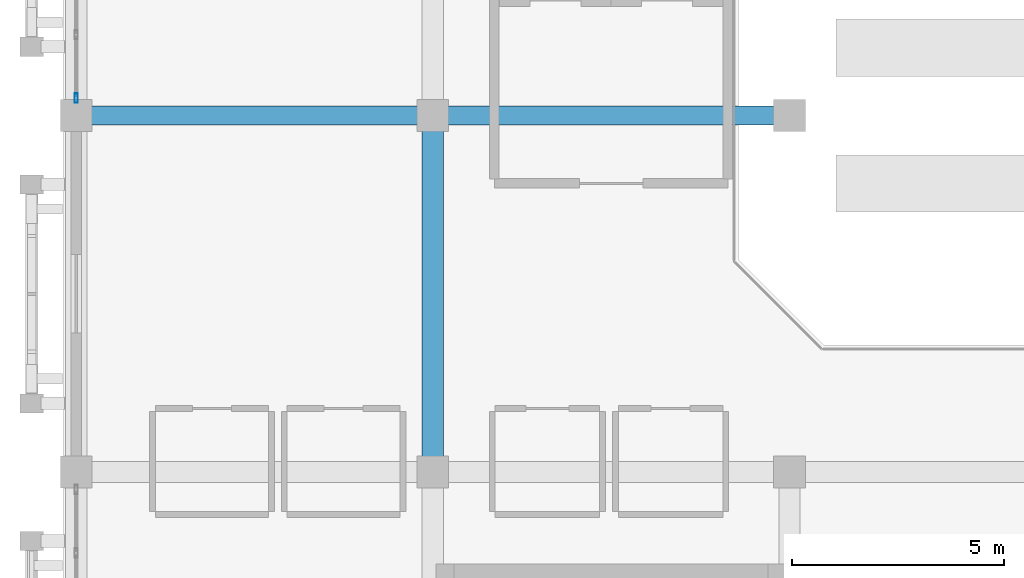
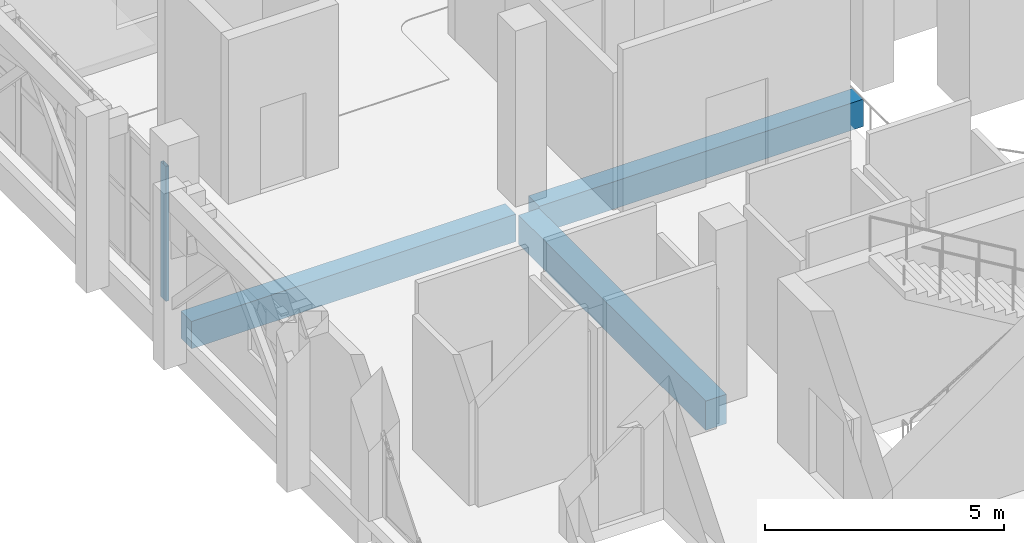
# One storey, part 8 of 30: 3 beams, 1 member, 1 element without a shape of its own.
"""IFC4 building model written with IfcOpenShell, lengths in metres."""

import ifcopenshell
import ifcopenshell.guid

model = None  # the IFC model being written
_history = None  # IfcOwnerHistory: only IFC2X3 demands one
_inside = {}  # id of a spatial element -> (the spatial element, [elements in it])
_under = {}  # id of a project, library or spatial element -> (it, [spatial elements below it])
_declared = {}  # id of a project -> (the project, [libraries it declares])
_typed = {}  # id of a type object -> (the type object, [elements of that type])
_made_of = {}  # id of a material, layer set ... -> (it, [elements and type objects made of it])


def new_model(schema):
    """Start an empty IFC model of exactly this schema.

    Asked for "IFC4X3", IfcOpenShell would pick the latest addendum, in which some entities
    have other attributes; the version numbers below select the first issue.
    IFC2X3 requires an IfcOwnerHistory on every rooted entity: one is made here for all.
    """
    global model, _history
    if schema == "IFC4X3":
        model = ifcopenshell.file(schema_version=(4, 3, 0, 0))
    else:
        model = ifcopenshell.file(schema=schema)
    _inside.clear()
    _under.clear()
    _declared.clear()
    _typed.clear()
    _made_of.clear()
    _history = None
    if model.schema == "IFC2X3":
        org = make("IfcOrganization", Name="unknown")
        user = make(
            "IfcPersonAndOrganization",
            ThePerson=make("IfcPerson", FamilyName="unknown"),
            TheOrganization=org,
        )
        app = make(
            "IfcApplication",
            ApplicationDeveloper=org,
            Version="unknown",
            ApplicationFullName="unknown",
            ApplicationIdentifier="unknown",
        )
        _history = make(
            "IfcOwnerHistory",
            OwningUser=user,
            OwningApplication=app,
            ChangeAction="ADDED",
            CreationDate=0,
        )
    return model


def make(cls, **values):
    """One entity of the class cls with the attributes given. An attribute that is None is left unset."""
    return model.create_entity(
        cls, **{name: value for name, value in values.items() if value is not None}
    )


def rooted(cls, **values):
    """An entity with a GlobalId (a new one), such as an element, a storey or a relation."""
    return make(cls, GlobalId=ifcopenshell.guid.new(), OwnerHistory=_history, **values)


def si_unit(unit_type, name, prefix=None):
    """IfcSIUnit, for example si_unit("LENGTHUNIT", "METRE", prefix="MILLI")."""
    return make("IfcSIUnit", UnitType=unit_type, Prefix=prefix, Name=name)


def assignment(units):
    """IfcUnitAssignment: the units of a project."""
    return None if units is None else make("IfcUnitAssignment", Units=units)


def point(xyz):
    """IfcCartesianPoint."""
    return None if xyz is None else make("IfcCartesianPoint", Coordinates=xyz)


def direction(xyz):
    """IfcDirection."""
    return None if xyz is None else make("IfcDirection", DirectionRatios=xyz)


def frame(location, z_axis=None, x_axis=None):
    """IfcAxis2Placement3D, a coordinate frame: its origin and axes. An axis left out is left unset."""
    return make(
        "IfcAxis2Placement3D",
        Location=point(location),
        Axis=direction(z_axis),
        RefDirection=direction(x_axis),
    )


def frame_2d(location, x_axis=None):
    """IfcAxis2Placement2D, a coordinate frame in the plane: its origin and x axis."""
    return make(
        "IfcAxis2Placement2D", Location=point(location), RefDirection=direction(x_axis)
    )


def origin():
    """The frame at (0, 0, 0) with its axes left unset."""
    return frame((0.0, 0.0, 0.0))


def origin_2d():
    """The frame at (0, 0) in the plane with its x axis left unset."""
    return frame_2d((0.0, 0.0))


def place(relative_to, where):
    """IfcLocalPlacement: puts the frame where relative to a parent placement (None: the world)."""
    return make(
        "IfcLocalPlacement", PlacementRelTo=relative_to, RelativePlacement=where
    )


def context(
    kind, dimensions, precision=None, world=None, true_north=None, identifier=None
):
    """IfcGeometricRepresentationContext, for example the 3D "Model" context."""
    return make(
        "IfcGeometricRepresentationContext",
        ContextIdentifier=identifier,
        ContextType=kind,
        CoordinateSpaceDimension=dimensions,
        Precision=precision,
        WorldCoordinateSystem=world,
        TrueNorth=true_north,
    )


def subcontext(parent, identifier, kind, view, scale=None):
    """IfcGeometricRepresentationSubContext, for example "Body" below "Model"."""
    return make(
        "IfcGeometricRepresentationSubContext",
        ContextIdentifier=identifier,
        ContextType=kind,
        ParentContext=parent,
        TargetScale=scale,
        TargetView=view,
    )


def project(units=None, contexts=None):
    """IfcProject with its units and contexts."""
    return rooted(
        "IfcProject",
        Name="project",
        RepresentationContexts=contexts,
        UnitsInContext=assignment(units),
    )


def spatial(cls, under=None, at=None, **own):
    """A site, building, storey or space (cls), placed at a placement, below another one or the project."""
    s = rooted(cls, ObjectPlacement=at, **own)
    if under is not None:
        _under.setdefault(under.id(), (under, []))[1].append(s)
    return s


def profile(cls, at=None, kind="AREA", **sizes):
    """A parametric profile (cls). Its sizes go by their IFC names, for example OverallWidth=200.0."""
    return make(cls, ProfileType=kind, Position=at, **sizes)


def rectangle(**sizes):
    """IfcRectangleProfileDef."""
    return profile("IfcRectangleProfileDef", **sizes)


def hollow_rectangle(**sizes):
    """IfcRectangleHollowProfileDef."""
    return profile("IfcRectangleHollowProfileDef", **sizes)


def extrude(swept, where, along, depth):
    """IfcExtrudedAreaSolid: the profile swept, set in the frame where, extruded along a direction by depth."""
    return make(
        "IfcExtrudedAreaSolid",
        SweptArea=swept,
        Position=where,
        ExtrudedDirection=direction(along),
        Depth=depth,
    )


def shape(context_of_items, identifier, shape_type, items):
    """IfcShapeRepresentation: the items that make up one representation, for example the "Body"."""
    return make(
        "IfcShapeRepresentation",
        ContextOfItems=context_of_items,
        RepresentationIdentifier=identifier,
        RepresentationType=shape_type,
        Items=items,
    )


def material(Name=None, Category=None):
    """IfcMaterial."""
    return make("IfcMaterial", Name=Name, Category=Category)


def layer(
    of_material, thickness, ventilated=None, Name=None, Category=None, Priority=None
):
    """IfcMaterialLayer: one layer of a wall or slab, of a material (None: an air gap)."""
    return make(
        "IfcMaterialLayer",
        Material=of_material,
        LayerThickness=thickness,
        IsVentilated=ventilated,
        Name=Name,
        Category=Category,
        Priority=Priority,
    )


def layer_set(layers, Name=None):
    """IfcMaterialLayerSet."""
    return make("IfcMaterialLayerSet", MaterialLayers=layers, LayerSetName=Name)


def material_profile(
    of_material, cross_section, Name=None, Category=None, Priority=None
):
    """IfcMaterialProfile: a cross section and its material."""
    return make(
        "IfcMaterialProfile",
        Name=Name,
        Material=of_material,
        Profile=cross_section,
        Priority=Priority,
        Category=Category,
    )


def profile_set(profiles, Name=None, composite=None):
    """IfcMaterialProfileSet."""
    return make(
        "IfcMaterialProfileSet",
        Name=Name,
        MaterialProfiles=profiles,
        CompositeProfile=composite,
    )


def made_of(thing, what):
    """Note that an element or type object is made of a material, layer set ...; save() writes the relation."""
    if what is not None:
        _made_of.setdefault(what.id(), (what, []))[1].append(thing)
    return thing


def type_object(cls, material=None, **own):
    """A type object (cls), such as IfcWallType, which elements share."""
    return made_of(rooted(cls, **own), material)


def element(
    cls,
    number,
    at=None,
    inside=None,
    cuts=None,
    type_object=None,
    material=None,
    context=None,
    identifier="Body",
    shape_type=None,
    held_by="IfcProductDefinitionShape",
    body=None,
    shapes=None,
    **own,
):
    """One element of the class cls, such as IfcWall. Its Tag is "e" and its number.

    at: its placement. inside: the storey or other place that contains it. cuts: it is an
    opening in that element (IfcRelVoidsElement). A single representation is given by context,
    identifier, shape_type and body (its items); several are given by shapes. held_by: the class
    of the entity that holds the representations. save() writes the other relations.
    """
    e = rooted(cls, Tag="e%d" % number, ObjectPlacement=at, **own)
    if body is not None:
        shapes = [shape(context, identifier, shape_type, body)]
    if shapes is not None:
        e.Representation = make(held_by, Representations=shapes)
    if inside is not None:
        _inside.setdefault(inside.id(), (inside, []))[1].append(e)
    if cuts is not None:
        rooted(
            "IfcRelVoidsElement", RelatingBuildingElement=cuts, RelatedOpeningElement=e
        )
    if type_object is not None:
        _typed.setdefault(type_object.id(), (type_object, []))[1].append(e)
    return made_of(e, material)


def aggregate(whole, parts):
    """IfcRelAggregates: a whole, such as a stair, and the parts it consists of."""
    return rooted("IfcRelAggregates", RelatingObject=whole, RelatedObjects=parts)


def save(model, path):
    """Write the relations noted so far, then the file.

    IfcRelAggregates (storeys below a building ...), IfcRelContainedInSpatialStructure (elements
    in a storey), IfcRelDefinesByType, IfcRelAssociatesMaterial and IfcRelDeclares: one each for
    every whole, place, type object, material and project.
    """
    for whole, parts in _under.values():
        aggregate(whole, parts)
    for where, things in _inside.values():
        rooted(
            "IfcRelContainedInSpatialStructure",
            RelatedElements=things,
            RelatingStructure=where,
        )
    for kind, things in _typed.values():
        rooted("IfcRelDefinesByType", RelatedObjects=things, RelatingType=kind)
    for what, things in _made_of.values():
        rooted("IfcRelAssociatesMaterial", RelatedObjects=things, RelatingMaterial=what)
    for by, libraries in _declared.values():
        rooted("IfcRelDeclares", RelatingContext=by, RelatedDefinitions=libraries)
    model.write(path)


model = new_model("IFC4")

# Units and contexts
model_context = context("Model", 3, precision=1e-05, world=origin(), true_north=direction((0.0, 1.0)))
body_context = subcontext(model_context, "Body", "Model", "MODEL_VIEW")
ifc_project = project(units=[si_unit("LENGTHUNIT", "METRE"), si_unit("AREAUNIT", "SQUARE_METRE"), si_unit("VOLUMEUNIT", "CUBIC_METRE"), si_unit("PLANEANGLEUNIT", "RADIAN"), si_unit("MASSUNIT", "GRAM", prefix="KILO")], contexts=[model_context])

# Site, building, storey
site_placement = place(None, origin())
site = spatial("IfcSite", under=ifc_project, at=site_placement, CompositionType="ELEMENT")
building_placement = place(site_placement, origin())
building = spatial("IfcBuilding", under=site, at=building_placement, Name="Xazarin Passage Department Store", CompositionType="ELEMENT")
storey_placement = place(building_placement, frame((0.0, 0.0, 23.39990234375)))
storey = spatial("IfcBuildingStorey", under=building, at=storey_placement, Name="L05", CompositionType="ELEMENT", Elevation=23.39990234375)

# Curtain wall, member
ifc_material_1 = material(Name="Bronze anodised aluminium", Category="aluminium")
ifc_layer = layer(ifc_material_1, 0.199951171875)
ifc_layer_set = layer_set([ifc_layer], Name="Bronze anodised aluminium")
curtain_wall_type = type_object("IfcCurtainWallType", Name="ARC-CW-VIT2", PredefinedType="NOTDEFINED", material=ifc_layer_set)
curtain_wall_placement = place(storey_placement, origin())
curtain_wall = element("IfcCurtainWall", 1, at=curtain_wall_placement, inside=storey, type_object=curtain_wall_type, Name="L05 V1 Curtain Wall 082", PredefinedType="NOTDEFINED")
ifc_material_profile_1 = material_profile(ifc_material_1, hollow_rectangle(XDim=0.074951171875, YDim=0.219970703125, WallThickness=0.0048828125, at=origin_2d()), Name="ALU 75x220")
ifc_profile_set_1 = profile_set([ifc_material_profile_1], Name="Bronze anodised aluminium")
member_type = type_object("IfcMemberType", Name="ARC-CWM-75x220", PredefinedType="MULLION", material=ifc_profile_set_1)
member_placement = place(storey_placement, frame((0.0, 93.612548828125, 0.0), z_axis=(0.0, 0.0, 1.0), x_axis=(-1.0, 0.0, 0.0)))
member = element("IfcMember", 2, at=member_placement, type_object=member_type, Name="CW2 mullion 1", PredefinedType="MULLION", context=body_context, shape_type="SweptSolid", body=[
    extrude(hollow_rectangle(XDim=0.074951171875, YDim=0.219970703125, WallThickness=0.0048828125, at=origin_2d()), origin(), (0.0, 0.0, 1.0), 3.4501953125),
])
aggregate(curtain_wall, [member])

# Beams
ifc_material_2 = material(Name="Concrete C35/45", Category="concrete")
ifc_material_profile_2 = material_profile(ifc_material_2, rectangle(XDim=0.449951171875, YDim=0.699951171875, at=origin_2d()), Name="RC 450x700")
ifc_profile_set_2 = profile_set([ifc_material_profile_2], Name="Concrete C35/45")
beam_type_1 = type_object("IfcBeamType", Name="STR-BM-G450x700", PredefinedType="BEAM", material=ifc_profile_set_2)
for number, where, z_axis, x_axis, name in (
    (3, (0.280029296875, 93.199951171875, -0.64990234375), (1.0, 0.0, 0.0), (0.0, 1.0, 0.0), "L05 Grid Beam N/1-2"),
    (4, (8.679931640625, 93.199951171875, -0.64990234375), (1.0, 0.0, 0.0), (0.0, 1.0, 0.0), "L05 Grid Beam N/2-3"),
):
    element("IfcBeam", number, at=place(storey_placement, frame(where, z_axis=z_axis, x_axis=x_axis)), inside=storey, type_object=beam_type_1, Name=name, PredefinedType="BEAM", context=body_context, shape_type="SweptSolid", body=[
        extrude(rectangle(XDim=0.449951171875, YDim=0.699951171875, at=origin_2d()), origin(), (0.0, 0.0, 1.0), 7.840087890625),
    ])
ifc_material_profile_3 = material_profile(ifc_material_2, rectangle(XDim=0.5, YDim=0.75, at=origin_2d()), Name="RC 500x750")
ifc_profile_set_3 = profile_set([ifc_material_profile_3], Name="Concrete C35/45")
beam_type_2 = type_object("IfcBeamType", Name="STR-BM-SP500x750", PredefinedType="SPANDREL", material=ifc_profile_set_3)
beam_placement = place(storey_placement, frame((8.39990234375, 85.080078125, -0.6748046875), z_axis=(0.0, 1.0, 0.0), x_axis=(-1.0, 0.0, 0.0)))
element("IfcBeam", 5, at=beam_placement, inside=storey, type_object=beam_type_2, Name="L05 Grid Beam 2/M-N", PredefinedType="SPANDREL", context=body_context, shape_type="SweptSolid", body=[
    extrude(rectangle(XDim=0.5, YDim=0.75, at=origin_2d()), origin(), (0.0, 0.0, 1.0), 7.83984375),
])

save(model, "model.ifc")
